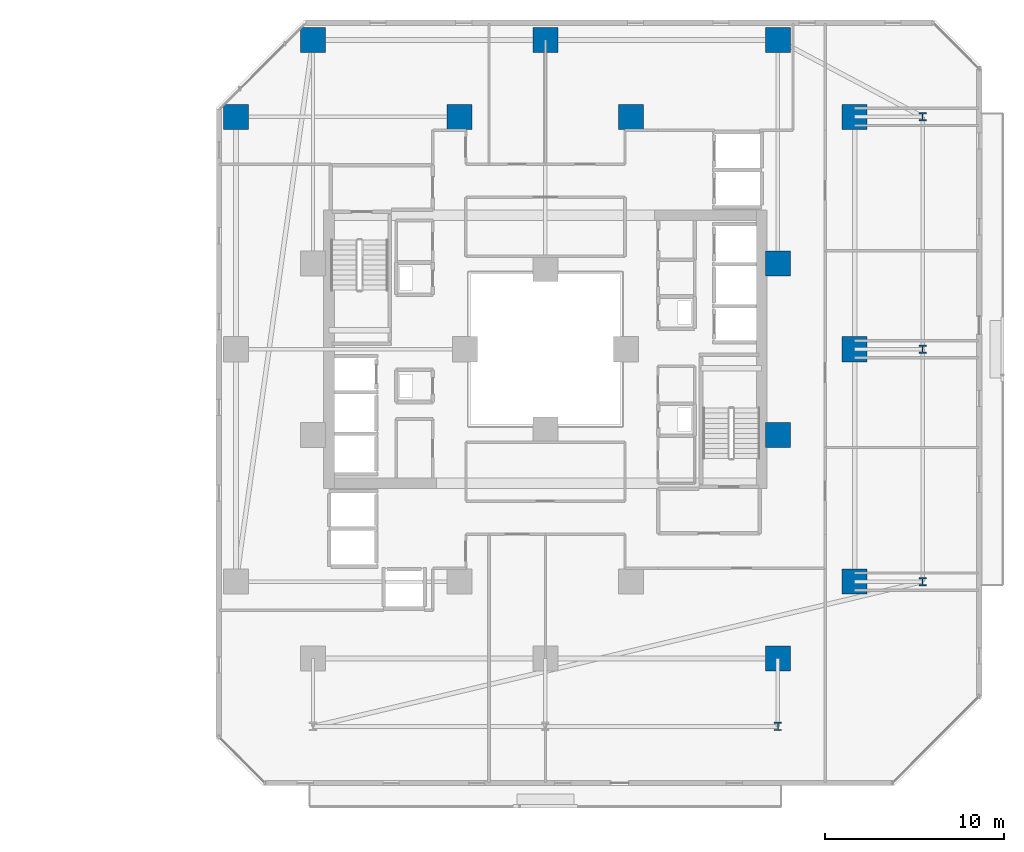
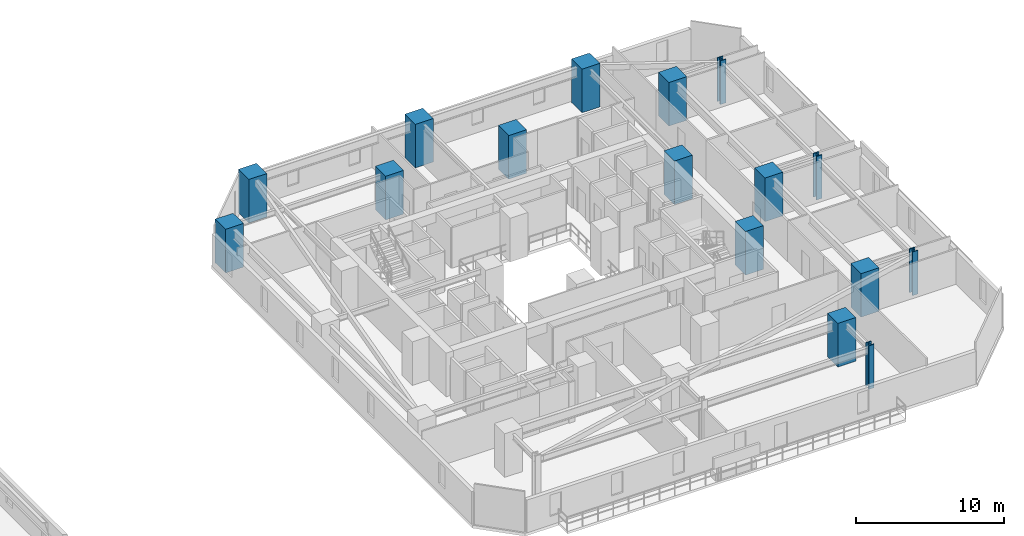
# One storey, part 2 of 33: 16 columns.
"""IFC4 building model written with IfcOpenShell, lengths in metres."""

from ifc_helpers import new_model, si_unit, direction, frame, origin, origin_2d, place, context, subcontext, project, spatial, rectangle, i_section, extrude, material, material_profile, profile_set, type_object, element, save


model = new_model("IFC4")

# Units and contexts
model_context = context("Model", 3, precision=1e-05, world=origin(), true_north=direction((0.0, 1.0)))
body_context = subcontext(model_context, "Body", "Model", "MODEL_VIEW")
ifc_project = project(units=[si_unit("LENGTHUNIT", "METRE"), si_unit("AREAUNIT", "SQUARE_METRE"), si_unit("VOLUMEUNIT", "CUBIC_METRE"), si_unit("PLANEANGLEUNIT", "RADIAN"), si_unit("MASSUNIT", "GRAM", prefix="KILO")], contexts=[model_context])

# Site, building, storey
site_placement = place(None, origin())
site = spatial("IfcSite", under=ifc_project, at=site_placement, CompositionType="ELEMENT")
building_placement = place(site_placement, origin())
building = spatial("IfcBuilding", under=site, at=building_placement, Name="Thornwick Lancets Civic Towers", CompositionType="ELEMENT")
storey_placement = place(building_placement, frame((0.0, 0.0, 42.300048828125)))
storey = spatial("IfcBuildingStorey", under=building, at=storey_placement, Name="L10", CompositionType="ELEMENT", Elevation=42.300048828125)

# Columns
ifc_material_1 = material(Name="Concrete C60/75", Category="concrete")
ifc_material_profile_1 = material_profile(ifc_material_1, rectangle(XDim=1.39990234375, YDim=1.39990234375, at=origin_2d()), Name="RC 1400x1400")
ifc_profile_set_1 = profile_set([ifc_material_profile_1], Name="Concrete C60/75")
column_type_1 = type_object("IfcColumnType", Name="COL_RC_1400", PredefinedType="COLUMN", material=ifc_profile_set_1)
for number, where, z_axis, x_axis, name in (
    (1, (105.800048828125, 14.0, 0.0), (0.0, 0.0, 1.0), (1.0, 0.0, 0.0), "L10 Spine Mega-Column B01"),
    (2, (105.800048828125, 27.0, 0.0), (0.0, 0.0, 1.0), (1.0, 0.0, 0.0), "L10 Spine Mega-Column B02"),
    (3, (105.800048828125, 40.0, 0.0), (0.0, 0.0, 1.0), (1.0, 0.0, 0.0), "L10 Spine Mega-Column B03"),
    (4, (101.5, 44.300048828125, 0.0), (0.0, 0.0, 1.0), (1.0, 0.0, 0.0), "L10 Spine Mega-Column B04"),
    (5, (88.5, 44.300048828125, 0.0), (0.0, 0.0, 1.0), (1.0, 0.0, 0.0), "L10 Spine Mega-Column B05"),
    (6, (75.5, 44.300048828125, 0.0), (0.0, 0.0, 1.0), (1.0, 0.0, 0.0), "L10 Spine Mega-Column B06"),
    (7, (71.199951171875, 40.0, 0.0), (0.0, 0.0, 1.0), (1.0, 0.0, 0.0), "L10 Spine Mega-Column B09"),
    (8, (101.5, 9.699951171875, 0.0), (0.0, 0.0, 1.0), (1.0, 0.0, 0.0), "L10 Spine Mega-Column B10"),
    (9, (93.300048828125, 40.0, 0.0), (0.0, 0.0, 1.0), (1.0, 0.0, 0.0), "L10 Spine Mega-Column B14"),
    (10, (83.699951171875, 40.0, 0.0), (0.0, 0.0, 1.0), (1.0, 0.0, 0.0), "L10 Spine Mega-Column B16"),
    (11, (101.5, 22.199951171875, 0.0), (0.0, 0.0, 1.0), (1.0, 0.0, 0.0), "L10 Spine Mega-Column B17"),
    (12, (101.5, 31.800048828125, 0.0), (0.0, 0.0, 1.0), (1.0, 0.0, 0.0), "L10 Spine Mega-Column B18"),
):
    element("IfcColumn", number, at=place(storey_placement, frame(where, z_axis=z_axis, x_axis=x_axis)), inside=storey, type_object=column_type_1, Name=name, PredefinedType="COLUMN", context=body_context, shape_type="SweptSolid", body=[
        extrude(rectangle(XDim=1.39990234375, YDim=1.39990234375, at=origin_2d()), origin(), (0.0, 0.0, 1.0), 3.599853515625),
    ])
ifc_material_2 = material(Name="Steel S460M", Category="steel")
ifc_material_profile_2 = material_profile(ifc_material_2, i_section(OverallWidth=0.424072265625, OverallDepth=0.474609375, WebThickness=0.047607421875, FlangeThickness=0.076904296875, FilletRadius=0.01513671875, at=origin_2d()), Name="UKC 356x406x634")
ifc_profile_set_2 = profile_set([ifc_material_profile_2], Name="Steel S460M")
column_type_2 = type_object("IfcColumnType", Name="COL_UKC_634", PredefinedType="COLUMN", material=ifc_profile_set_2)
for number, where, z_axis, x_axis, name in (
    (13, (109.60009765625, 14.0, 0.0), (0.0, 0.0, 1.0), (1.0, 0.0, 0.0), "L10 Block Perimeter Column B01"),
    (14, (109.60009765625, 27.0, 0.0), (0.0, 0.0, 1.0), (1.0, 0.0, 0.0), "L10 Block Perimeter Column B02"),
    (15, (109.60009765625, 40.0, 0.0), (0.0, 0.0, 1.0), (1.0, 0.0, 0.0), "L10 Block Perimeter Column B03"),
    (16, (101.5, 5.89990234375, 0.0), (0.0, 0.0, 1.0), (1.0, 0.0, 0.0), "L10 Block Perimeter Column B10"),
):
    element("IfcColumn", number, at=place(storey_placement, frame(where, z_axis=z_axis, x_axis=x_axis)), inside=storey, type_object=column_type_2, Name=name, PredefinedType="COLUMN", context=body_context, shape_type="SweptSolid", body=[
        extrude(i_section(OverallWidth=0.424072265625, OverallDepth=0.474609375, WebThickness=0.047607421875, FlangeThickness=0.076904296875, FilletRadius=0.01513671875, at=origin_2d()), origin(), (0.0, 0.0, 1.0), 3.599853515625),
    ])

save(model, "model.ifc")
